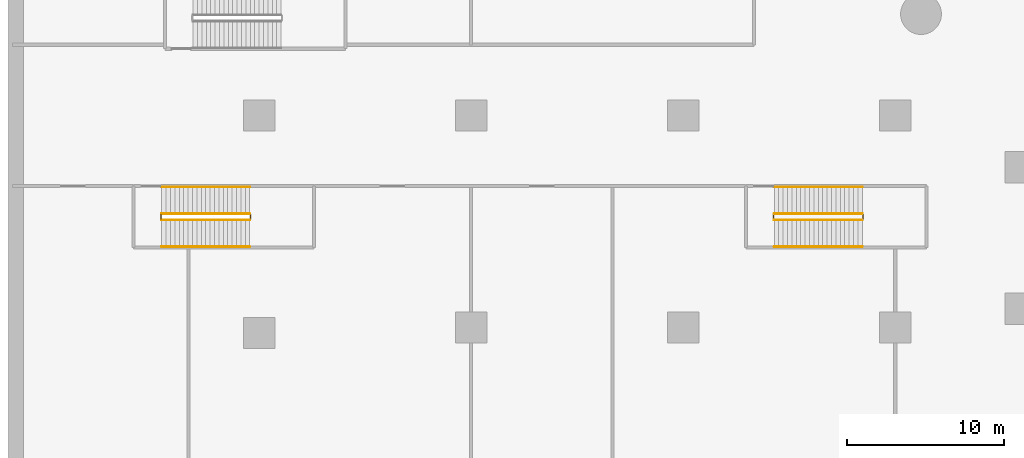
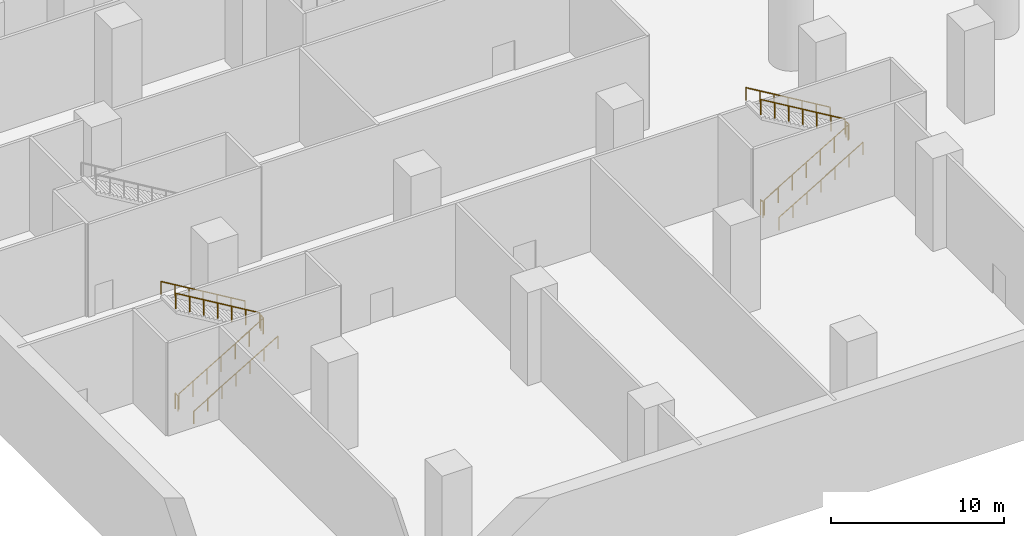
# One storey, part 16 of 30: 12 railings.
"""IFC4 building model written with IfcOpenShell, lengths in metres."""

from ifc_helpers import new_model, si_unit, direction, frame, origin, origin_2d, place, context, subcontext, project, spatial, circle, extrude, material, type_object, element, save


model = new_model("IFC4")

# Units and contexts
model_context = context("Model", 3, precision=1e-05, world=origin(), true_north=direction((0.0, 1.0)))
body_context = subcontext(model_context, "Body", "Model", "MODEL_VIEW")
ifc_project = project(units=[si_unit("LENGTHUNIT", "METRE"), si_unit("AREAUNIT", "SQUARE_METRE"), si_unit("VOLUMEUNIT", "CUBIC_METRE"), si_unit("PLANEANGLEUNIT", "RADIAN"), si_unit("MASSUNIT", "GRAM", prefix="KILO")], contexts=[model_context])

# Site, building, storey
site_placement = place(None, origin())
site = spatial("IfcSite", under=ifc_project, at=site_placement, CompositionType="ELEMENT")
building_placement = place(site_placement, origin())
building = spatial("IfcBuilding", under=site, at=building_placement, Name="Tamarind Cross Interchange Tower", CompositionType="ELEMENT")
storey_placement = place(building_placement, frame((0.0, 0.0, -14.0)))
storey = spatial("IfcBuildingStorey", under=building, at=storey_placement, Name="B2", CompositionType="ELEMENT", Elevation=-14.0)

# Railings
ifc_material_1 = material(Name="Public stair guard")
railing_type_1 = type_object("IfcRailingType", Name="Public stair guard", PredefinedType="GUARDRAIL", material=ifc_material_1)
railing_1_placement = place(storey_placement, frame((-60.199951171875, -33.64990234375, 0.166748046875)))
element("IfcRailing", 1, at=railing_1_placement, inside=storey, type_object=railing_type_1, Name="B2 XS-P07 stair guard 1", PredefinedType="GUARDRAIL", context=body_context, shape_type="SweptSolid", body=[
    extrude(circle(Radius=0.02392578125, at=origin_2d()), frame((0.0, 0.0, 1.076171875), z_axis=(0.859292492371, 0.0, 0.511484518392), x_axis=(0.0, 1.0, 0.0)), (0.0, 0.0, 1.0), 6.516845703125),
    extrude(circle(Radius=0.02099609375, at=origin_2d()), origin(), (0.0, 0.0, 1.0), 1.052001953125),
    extrude(circle(Radius=0.02099609375, at=origin_2d()), frame((0.933349609375, 0.0, 0.5556640625)), (0.0, 0.0, 1.0), 1.052001953125),
    extrude(circle(Radius=0.02099609375, at=origin_2d()), frame((1.86669921875, 0.0, 1.111083984375)), (0.0, 0.0, 1.0), 1.052001953125),
    extrude(circle(Radius=0.02099609375, at=origin_2d()), frame((2.7998046875, 0.0, 1.66650390625)), (0.0, 0.0, 1.0), 1.052001953125),
    extrude(circle(Radius=0.02099609375, at=origin_2d()), frame((3.733154296875, 0.0, 2.22216796875)), (0.0, 0.0, 1.0), 1.052001953125),
    extrude(circle(Radius=0.02099609375, at=origin_2d()), frame((4.66650390625, 0.0, 2.77783203125)), (0.0, 0.0, 1.0), 1.052001953125),
    extrude(circle(Radius=0.02099609375, at=origin_2d()), frame((5.599853515625, 0.0, 3.333251953125)), (0.0, 0.0, 1.0), 1.052001953125),
])
railing_2_placement = place(storey_placement, frame((-54.550048828125, -33.60009765625, 3.5)))
element("IfcRailing", 2, at=railing_2_placement, inside=storey, type_object=railing_type_1, Name="B2 XS-P07 stair guard 2", PredefinedType="GUARDRAIL", context=body_context, shape_type="SweptSolid", body=[
    extrude(circle(Radius=0.02392578125, at=origin_2d()), frame((0.0, 0.0, 1.076171875), z_axis=(0.0, 1.0, 0.0), x_axis=(-1.0, 0.0, 0.0)), (0.0, 0.0, 1.0), 0.300048828125),
    extrude(circle(Radius=0.02099609375, at=origin_2d()), origin(), (0.0, 0.0, 1.0), 1.052001953125),
    extrude(circle(Radius=0.02099609375, at=origin_2d()), frame((0.0, 0.300048828125, 0.0)), (0.0, 0.0, 1.0), 1.052001953125),
])
railing_3_placement = place(storey_placement, frame((-54.60009765625, -33.25, 3.666748046875)))
element("IfcRailing", 3, at=railing_3_placement, inside=storey, type_object=railing_type_1, Name="B2 XS-P07 stair guard 3", PredefinedType="GUARDRAIL", context=body_context, shape_type="SweptSolid", body=[
    extrude(circle(Radius=0.02392578125, at=origin_2d()), frame((0.0, 0.0, 1.076171875), z_axis=(-0.859292492371, 0.0, 0.511484518392), x_axis=(0.0, -1.0, 0.0)), (0.0, 0.0, 1.0), 6.516845703125),
    extrude(circle(Radius=0.02099609375, at=origin_2d()), origin(), (0.0, 0.0, 1.0), 1.052001953125),
    extrude(circle(Radius=0.02099609375, at=origin_2d()), frame((-0.933349609375, 0.0, 0.5556640625)), (0.0, 0.0, 1.0), 1.052001953125),
    extrude(circle(Radius=0.02099609375, at=origin_2d()), frame((-1.86669921875, 0.0, 1.111083984375)), (0.0, 0.0, 1.0), 1.052001953125),
    extrude(circle(Radius=0.02099609375, at=origin_2d()), frame((-2.7998046875, 0.0, 1.66650390625)), (0.0, 0.0, 1.0), 1.052001953125),
    extrude(circle(Radius=0.02099609375, at=origin_2d()), frame((-3.733154296875, 0.0, 2.22216796875)), (0.0, 0.0, 1.0), 1.052001953125),
    extrude(circle(Radius=0.02099609375, at=origin_2d()), frame((-4.66650390625, 0.0, 2.77783203125)), (0.0, 0.0, 1.0), 1.052001953125),
    extrude(circle(Radius=0.02099609375, at=origin_2d()), frame((-5.599853515625, 0.0, 3.333251953125)), (0.0, 0.0, 1.0), 1.052001953125),
])
railing_4_placement = place(storey_placement, frame((-60.25, -33.60009765625, 0.0)))
element("IfcRailing", 4, at=railing_4_placement, inside=storey, type_object=railing_type_1, Name="B2 XS-P07 stair guard 4", PredefinedType="GUARDRAIL", context=body_context, shape_type="SweptSolid", body=[
    extrude(circle(Radius=0.02392578125, at=origin_2d()), frame((0.0, 0.0, 1.076171875), z_axis=(0.0, 1.0, 0.0), x_axis=(-1.0, 0.0, 0.0)), (0.0, 0.0, 1.0), 0.300048828125),
    extrude(circle(Radius=0.02099609375, at=origin_2d()), origin(), (0.0, 0.0, 1.0), 1.052001953125),
    extrude(circle(Radius=0.02099609375, at=origin_2d()), frame((0.0, 0.300048828125, 0.0)), (0.0, 0.0, 1.0), 1.052001953125),
])
railing_5_placement = place(storey_placement, frame((-21.199951171875, -33.64990234375, 0.166748046875)))
element("IfcRailing", 5, at=railing_5_placement, inside=storey, type_object=railing_type_1, Name="B2 XS-P09 stair guard 1", PredefinedType="GUARDRAIL", context=body_context, shape_type="SweptSolid", body=[
    extrude(circle(Radius=0.02392578125, at=origin_2d()), frame((0.0, 0.0, 1.076171875), z_axis=(0.859292492371, 0.0, 0.511484518392), x_axis=(0.0, 1.0, 0.0)), (0.0, 0.0, 1.0), 6.516845703125),
    extrude(circle(Radius=0.02099609375, at=origin_2d()), origin(), (0.0, 0.0, 1.0), 1.052001953125),
    extrude(circle(Radius=0.02099609375, at=origin_2d()), frame((0.933349609375, 0.0, 0.5556640625)), (0.0, 0.0, 1.0), 1.052001953125),
    extrude(circle(Radius=0.02099609375, at=origin_2d()), frame((1.86669921875, 0.0, 1.111083984375)), (0.0, 0.0, 1.0), 1.052001953125),
    extrude(circle(Radius=0.02099609375, at=origin_2d()), frame((2.7998046875, 0.0, 1.66650390625)), (0.0, 0.0, 1.0), 1.052001953125),
    extrude(circle(Radius=0.02099609375, at=origin_2d()), frame((3.733154296875, 0.0, 2.22216796875)), (0.0, 0.0, 1.0), 1.052001953125),
    extrude(circle(Radius=0.02099609375, at=origin_2d()), frame((4.66650390625, 0.0, 2.77783203125)), (0.0, 0.0, 1.0), 1.052001953125),
    extrude(circle(Radius=0.02099609375, at=origin_2d()), frame((5.599853515625, 0.0, 3.333251953125)), (0.0, 0.0, 1.0), 1.052001953125),
])
railing_6_placement = place(storey_placement, frame((-15.550048828125, -33.60009765625, 3.5)))
element("IfcRailing", 6, at=railing_6_placement, inside=storey, type_object=railing_type_1, Name="B2 XS-P09 stair guard 2", PredefinedType="GUARDRAIL", context=body_context, shape_type="SweptSolid", body=[
    extrude(circle(Radius=0.02392578125, at=origin_2d()), frame((0.0, 0.0, 1.076171875), z_axis=(0.0, 1.0, 0.0), x_axis=(-1.0, 0.0, 0.0)), (0.0, 0.0, 1.0), 0.300048828125),
    extrude(circle(Radius=0.02099609375, at=origin_2d()), origin(), (0.0, 0.0, 1.0), 1.052001953125),
    extrude(circle(Radius=0.02099609375, at=origin_2d()), frame((0.0, 0.300048828125, 0.0)), (0.0, 0.0, 1.0), 1.052001953125),
])
railing_7_placement = place(storey_placement, frame((-15.60009765625, -33.25, 3.666748046875)))
element("IfcRailing", 7, at=railing_7_placement, inside=storey, type_object=railing_type_1, Name="B2 XS-P09 stair guard 3", PredefinedType="GUARDRAIL", context=body_context, shape_type="SweptSolid", body=[
    extrude(circle(Radius=0.02392578125, at=origin_2d()), frame((0.0, 0.0, 1.076171875), z_axis=(-0.859292492371, 0.0, 0.511484518392), x_axis=(0.0, -1.0, 0.0)), (0.0, 0.0, 1.0), 6.516845703125),
    extrude(circle(Radius=0.02099609375, at=origin_2d()), origin(), (0.0, 0.0, 1.0), 1.052001953125),
    extrude(circle(Radius=0.02099609375, at=origin_2d()), frame((-0.933349609375, 0.0, 0.5556640625)), (0.0, 0.0, 1.0), 1.052001953125),
    extrude(circle(Radius=0.02099609375, at=origin_2d()), frame((-1.86669921875, 0.0, 1.111083984375)), (0.0, 0.0, 1.0), 1.052001953125),
    extrude(circle(Radius=0.02099609375, at=origin_2d()), frame((-2.7998046875, 0.0, 1.66650390625)), (0.0, 0.0, 1.0), 1.052001953125),
    extrude(circle(Radius=0.02099609375, at=origin_2d()), frame((-3.733154296875, 0.0, 2.22216796875)), (0.0, 0.0, 1.0), 1.052001953125),
    extrude(circle(Radius=0.02099609375, at=origin_2d()), frame((-4.66650390625, 0.0, 2.77783203125)), (0.0, 0.0, 1.0), 1.052001953125),
    extrude(circle(Radius=0.02099609375, at=origin_2d()), frame((-5.599853515625, 0.0, 3.333251953125)), (0.0, 0.0, 1.0), 1.052001953125),
])
railing_8_placement = place(storey_placement, frame((-21.25, -33.60009765625, 0.0)))
element("IfcRailing", 8, at=railing_8_placement, inside=storey, type_object=railing_type_1, Name="B2 XS-P09 stair guard 4", PredefinedType="GUARDRAIL", context=body_context, shape_type="SweptSolid", body=[
    extrude(circle(Radius=0.02392578125, at=origin_2d()), frame((0.0, 0.0, 1.076171875), z_axis=(0.0, 1.0, 0.0), x_axis=(-1.0, 0.0, 0.0)), (0.0, 0.0, 1.0), 0.300048828125),
    extrude(circle(Radius=0.02099609375, at=origin_2d()), origin(), (0.0, 0.0, 1.0), 1.052001953125),
    extrude(circle(Radius=0.02099609375, at=origin_2d()), frame((0.0, 0.300048828125, 0.0)), (0.0, 0.0, 1.0), 1.052001953125),
])
ifc_material_2 = material(Name="Public stair handrail")
railing_type_2 = type_object("IfcRailingType", Name="Public stair handrail", PredefinedType="HANDRAIL", material=ifc_material_2)
railing_9_placement = place(storey_placement, frame((-60.199951171875, -35.35009765625, 0.166748046875)))
element("IfcRailing", 9, at=railing_9_placement, inside=storey, type_object=railing_type_2, Name="B2 XS-P07 stair handrail 1", PredefinedType="HANDRAIL", context=body_context, shape_type="SweptSolid", body=[
    extrude(circle(Radius=0.02392578125, at=origin_2d()), frame((0.0, 0.0, 0.8759765625), z_axis=(0.859292492371, 0.0, 0.511484518392), x_axis=(0.0, 1.0, 0.0)), (0.0, 0.0, 1.0), 6.516845703125),
    extrude(circle(Radius=0.02099609375, at=origin_2d()), origin(), (0.0, 0.0, 1.0), 0.851806640625),
    extrude(circle(Radius=0.02099609375, at=origin_2d()), frame((0.933349609375, 0.0, 0.5556640625)), (0.0, 0.0, 1.0), 0.851806640625),
    extrude(circle(Radius=0.02099609375, at=origin_2d()), frame((1.86669921875, 0.0, 1.111083984375)), (0.0, 0.0, 1.0), 0.851806640625),
    extrude(circle(Radius=0.02099609375, at=origin_2d()), frame((2.7998046875, 0.0, 1.66650390625)), (0.0, 0.0, 1.0), 0.851806640625),
    extrude(circle(Radius=0.02099609375, at=origin_2d()), frame((3.733154296875, 0.0, 2.22216796875)), (0.0, 0.0, 1.0), 0.851806640625),
    extrude(circle(Radius=0.02099609375, at=origin_2d()), frame((4.66650390625, 0.0, 2.77783203125)), (0.0, 0.0, 1.0), 0.851806640625),
    extrude(circle(Radius=0.02099609375, at=origin_2d()), frame((5.599853515625, 0.0, 3.333251953125)), (0.0, 0.0, 1.0), 0.851806640625),
])
railing_10_placement = place(storey_placement, frame((-54.60009765625, -31.550048828125, 3.666748046875)))
element("IfcRailing", 10, at=railing_10_placement, inside=storey, type_object=railing_type_2, Name="B2 XS-P07 stair handrail 2", PredefinedType="HANDRAIL", context=body_context, shape_type="SweptSolid", body=[
    extrude(circle(Radius=0.02392578125, at=origin_2d()), frame((0.0, 0.0, 0.8759765625), z_axis=(-0.859292492371, 0.0, 0.511484518392), x_axis=(0.0, -1.0, 0.0)), (0.0, 0.0, 1.0), 6.516845703125),
    extrude(circle(Radius=0.02099609375, at=origin_2d()), origin(), (0.0, 0.0, 1.0), 0.851806640625),
    extrude(circle(Radius=0.02099609375, at=origin_2d()), frame((-0.933349609375, 0.0, 0.5556640625)), (0.0, 0.0, 1.0), 0.851806640625),
    extrude(circle(Radius=0.02099609375, at=origin_2d()), frame((-1.86669921875, 0.0, 1.111083984375)), (0.0, 0.0, 1.0), 0.851806640625),
    extrude(circle(Radius=0.02099609375, at=origin_2d()), frame((-2.7998046875, 0.0, 1.66650390625)), (0.0, 0.0, 1.0), 0.851806640625),
    extrude(circle(Radius=0.02099609375, at=origin_2d()), frame((-3.733154296875, 0.0, 2.22216796875)), (0.0, 0.0, 1.0), 0.851806640625),
    extrude(circle(Radius=0.02099609375, at=origin_2d()), frame((-4.66650390625, 0.0, 2.77783203125)), (0.0, 0.0, 1.0), 0.851806640625),
    extrude(circle(Radius=0.02099609375, at=origin_2d()), frame((-5.599853515625, 0.0, 3.333251953125)), (0.0, 0.0, 1.0), 0.851806640625),
])
railing_11_placement = place(storey_placement, frame((-21.199951171875, -35.35009765625, 0.166748046875)))
element("IfcRailing", 11, at=railing_11_placement, inside=storey, type_object=railing_type_2, Name="B2 XS-P09 stair handrail 1", PredefinedType="HANDRAIL", context=body_context, shape_type="SweptSolid", body=[
    extrude(circle(Radius=0.02392578125, at=origin_2d()), frame((0.0, 0.0, 0.8759765625), z_axis=(0.859292492371, 0.0, 0.511484518392), x_axis=(0.0, 1.0, 0.0)), (0.0, 0.0, 1.0), 6.516845703125),
    extrude(circle(Radius=0.02099609375, at=origin_2d()), origin(), (0.0, 0.0, 1.0), 0.851806640625),
    extrude(circle(Radius=0.02099609375, at=origin_2d()), frame((0.933349609375, 0.0, 0.5556640625)), (0.0, 0.0, 1.0), 0.851806640625),
    extrude(circle(Radius=0.02099609375, at=origin_2d()), frame((1.86669921875, 0.0, 1.111083984375)), (0.0, 0.0, 1.0), 0.851806640625),
    extrude(circle(Radius=0.02099609375, at=origin_2d()), frame((2.7998046875, 0.0, 1.66650390625)), (0.0, 0.0, 1.0), 0.851806640625),
    extrude(circle(Radius=0.02099609375, at=origin_2d()), frame((3.733154296875, 0.0, 2.22216796875)), (0.0, 0.0, 1.0), 0.851806640625),
    extrude(circle(Radius=0.02099609375, at=origin_2d()), frame((4.66650390625, 0.0, 2.77783203125)), (0.0, 0.0, 1.0), 0.851806640625),
    extrude(circle(Radius=0.02099609375, at=origin_2d()), frame((5.599853515625, 0.0, 3.333251953125)), (0.0, 0.0, 1.0), 0.851806640625),
])
railing_12_placement = place(storey_placement, frame((-15.60009765625, -31.550048828125, 3.666748046875)))
element("IfcRailing", 12, at=railing_12_placement, inside=storey, type_object=railing_type_2, Name="B2 XS-P09 stair handrail 2", PredefinedType="HANDRAIL", context=body_context, shape_type="SweptSolid", body=[
    extrude(circle(Radius=0.02392578125, at=origin_2d()), frame((0.0, 0.0, 0.8759765625), z_axis=(-0.859292492371, 0.0, 0.511484518392), x_axis=(0.0, -1.0, 0.0)), (0.0, 0.0, 1.0), 6.516845703125),
    extrude(circle(Radius=0.02099609375, at=origin_2d()), origin(), (0.0, 0.0, 1.0), 0.851806640625),
    extrude(circle(Radius=0.02099609375, at=origin_2d()), frame((-0.933349609375, 0.0, 0.5556640625)), (0.0, 0.0, 1.0), 0.851806640625),
    extrude(circle(Radius=0.02099609375, at=origin_2d()), frame((-1.86669921875, 0.0, 1.111083984375)), (0.0, 0.0, 1.0), 0.851806640625),
    extrude(circle(Radius=0.02099609375, at=origin_2d()), frame((-2.7998046875, 0.0, 1.66650390625)), (0.0, 0.0, 1.0), 0.851806640625),
    extrude(circle(Radius=0.02099609375, at=origin_2d()), frame((-3.733154296875, 0.0, 2.22216796875)), (0.0, 0.0, 1.0), 0.851806640625),
    extrude(circle(Radius=0.02099609375, at=origin_2d()), frame((-4.66650390625, 0.0, 2.77783203125)), (0.0, 0.0, 1.0), 0.851806640625),
    extrude(circle(Radius=0.02099609375, at=origin_2d()), frame((-5.599853515625, 0.0, 3.333251953125)), (0.0, 0.0, 1.0), 0.851806640625),
])

save(model, "model.ifc")
